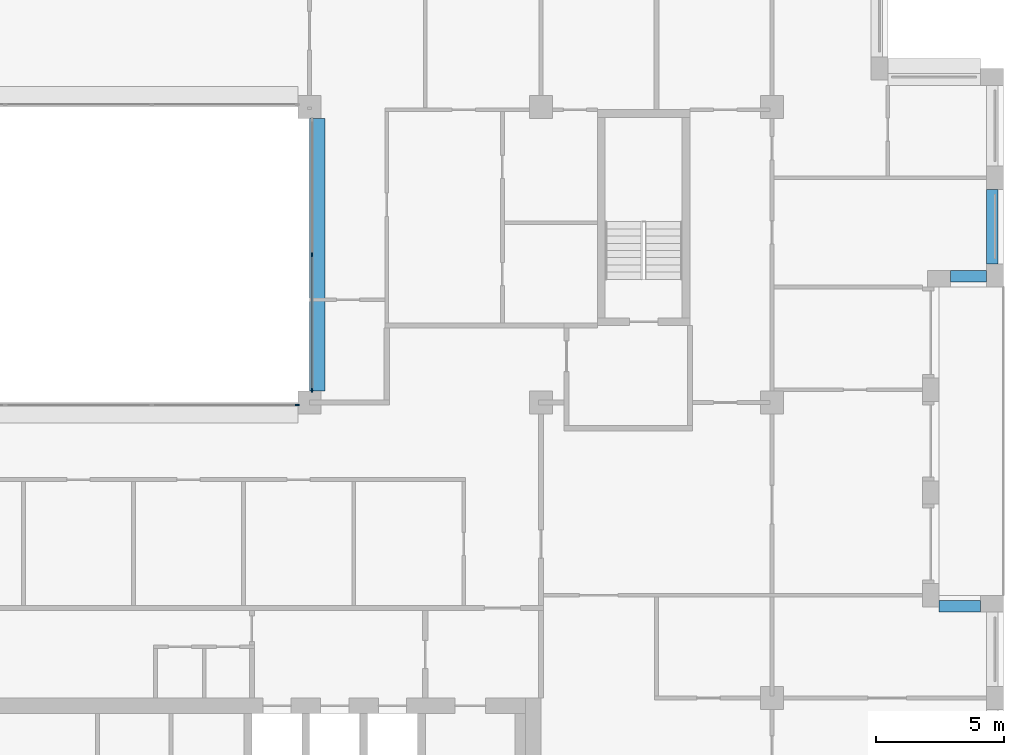
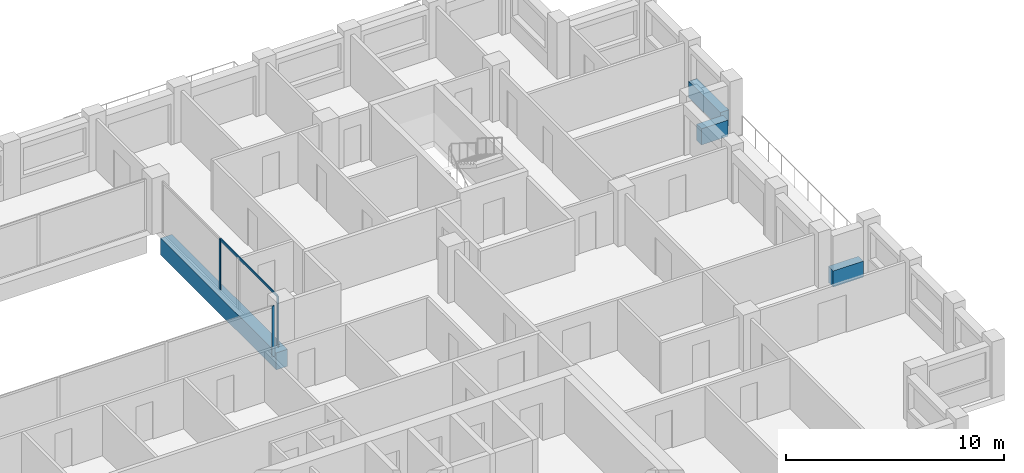
# One storey, part 4 of 15: 4 beams, 4 members, 2 elements without a shape of their own.
"""IFC4 building model written with IfcOpenShell, lengths in metres."""

from ifc_helpers import new_model, si_unit, direction, frame, origin, origin_2d, place, context, subcontext, project, spatial, rectangle, extrude, material, layer, layer_set, material_profile, profile_set, type_object, element, aggregate, save


model = new_model("IFC4")

# Units and contexts
model_context = context("Model", 3, precision=1e-05, world=origin(), true_north=direction((0.0, 1.0)))
body_context = subcontext(model_context, "Body", "Model", "MODEL_VIEW")
ifc_project = project(units=[si_unit("LENGTHUNIT", "METRE"), si_unit("AREAUNIT", "SQUARE_METRE"), si_unit("VOLUMEUNIT", "CUBIC_METRE"), si_unit("PLANEANGLEUNIT", "RADIAN"), si_unit("MASSUNIT", "GRAM", prefix="KILO")], contexts=[model_context])

# Site, building, storey
site_placement = place(None, origin())
site = spatial("IfcSite", under=ifc_project, at=site_placement, CompositionType="ELEMENT")
building_placement = place(site_placement, origin())
building = spatial("IfcBuilding", under=site, at=building_placement, Name="Brigalow Station Residences", CompositionType="ELEMENT")
storey_placement = place(building_placement, frame((0.0, 0.0, 216.89990234375)))
storey = spatial("IfcBuildingStorey", under=building, at=storey_placement, Name="L62", CompositionType="ELEMENT", Elevation=216.89990234375)

# Beam
ifc_material_1 = material(Name="Concrete C65", Category="concrete")
ifc_material_profile_1 = material_profile(ifc_material_1, rectangle(XDim=0.60009765625, YDim=0.949951171875, at=origin_2d()), Name="RC600x950")
ifc_profile_set_1 = profile_set([ifc_material_profile_1], Name="Concrete C65")
beam_type_1 = type_object("IfcBeamType", Name="ATRIUM EDGE GIRDER 600x950 C65", PredefinedType="BEAM", material=ifc_profile_set_1)
beam_1_placement = place(storey_placement, frame((45.300048828125, 24.449951171875, -0.794921875), z_axis=(0.0, 1.0, 0.0), x_axis=(-1.0, 0.0, 0.0)))
element("IfcBeam", 1, at=beam_1_placement, inside=storey, type_object=beam_type_1, Name="ATRIUM EDGE GIRDER 5 L62", PredefinedType="BEAM", context=body_context, shape_type="SweptSolid", body=[
    extrude(rectangle(XDim=0.60009765625, YDim=0.949951171875, at=origin_2d()), origin(), (0.0, 0.0, 1.0), 10.60009765625),
])

# Curtain wall, member
ifc_material_2 = material(Name="Aluminium", Category="aluminium")
ifc_layer = layer(ifc_material_2, 0.14990234375)
ifc_layer_set = layer_set([ifc_layer], Name="ATRIUM FIRE-RATED GLAZING CURTAIN WALL")
curtain_wall_type = type_object("IfcCurtainWallType", Name="ATRIUM FIRE-RATED GLAZING CURTAIN WALL", PredefinedType="NOTDEFINED", material=ifc_layer_set)
curtain_wall_1_placement = place(storey_placement, origin())
curtain_wall_1 = element("IfcCurtainWall", 2, at=curtain_wall_1_placement, inside=storey, type_object=curtain_wall_type, Name="L62/cw/atrium-S", PredefinedType="NOTDEFINED")
ifc_material_3 = material(Name="Aluminium", Category="aluminium")
ifc_material_profile_2 = material_profile(ifc_material_3, rectangle(XDim=0.06005859375, YDim=0.14990234375, at=origin_2d()), Name="ATRIUM FIRE-RATED GLAZING MULLION 60x150")
ifc_profile_set_2 = profile_set([ifc_material_profile_2], Name="Aluminium")
member_type_1 = type_object("IfcMemberType", Name="ATRIUM FIRE-RATED GLAZING MULLION 60x150", PredefinedType="MULLION", material=ifc_profile_set_2)
member_1_placement = place(storey_placement, frame((44.52001953125, 23.89990234375, 0.0), z_axis=(0.0, 0.0, 1.0), x_axis=(0.0, 1.0, 0.0)))
member_1 = element("IfcMember", 3, at=member_1_placement, type_object=member_type_1, Name="L62/cw/atrium-S/M03", PredefinedType="MULLION", context=body_context, shape_type="SweptSolid", body=[
    extrude(rectangle(XDim=0.06005859375, YDim=0.14990234375, at=origin_2d()), origin(), (0.0, 0.0, 1.0), 2.830078125),
])
aggregate(curtain_wall_1, [member_1])

# Curtain wall, members
curtain_wall_2_placement = place(storey_placement, origin())
curtain_wall_2 = element("IfcCurtainWall", 4, at=curtain_wall_2_placement, inside=storey, type_object=curtain_wall_type, Name="L62/cw/atrium-E", PredefinedType="NOTDEFINED")
member_2_placement = place(storey_placement, frame((45.10009765625, 24.47998046875, 0.0), z_axis=(0.0, 0.0, 1.0), x_axis=(-1.0, 0.0, 0.0)))
member_2 = element("IfcMember", 5, at=member_2_placement, type_object=member_type_1, Name="L62/cw/atrium-E/M00", PredefinedType="MULLION", context=body_context, shape_type="SweptSolid", body=[
    extrude(rectangle(XDim=0.06005859375, YDim=0.14990234375, at=origin_2d()), origin(), (0.0, 0.0, 1.0), 2.830078125),
])
member_3_placement = place(storey_placement, frame((45.10009765625, 29.75, 0.0), z_axis=(0.0, 0.0, 1.0), x_axis=(-1.0, 0.0, 0.0)))
member_3 = element("IfcMember", 6, at=member_3_placement, type_object=member_type_1, Name="L62/cw/atrium-E/M01", PredefinedType="MULLION", context=body_context, shape_type="SweptSolid", body=[
    extrude(rectangle(XDim=0.06005859375, YDim=0.14990234375, at=origin_2d()), origin(), (0.0, 0.0, 1.0), 2.830078125),
])
ifc_material_4 = material(Name="Aluminium", Category="aluminium")
ifc_material_profile_3 = material_profile(ifc_material_4, rectangle(XDim=0.06005859375, YDim=0.1201171875, at=origin_2d()), Name="ATRIUM FIRE-RATED GLAZING TRANSOM 60x120")
ifc_profile_set_3 = profile_set([ifc_material_profile_3], Name="Aluminium")
member_type_2 = type_object("IfcMemberType", Name="ATRIUM FIRE-RATED GLAZING TRANSOM 60x120", PredefinedType="USERDEFINED", material=ifc_profile_set_3)
member_4_placement = place(storey_placement, frame((45.10009765625, 24.510009765625, 2.800048828125), z_axis=(0.0, 1.0, 0.0), x_axis=(-1.0, 0.0, 0.0)))
member_4 = element("IfcMember", 7, at=member_4_placement, type_object=member_type_2, Name="L62/cw/atrium-E/T00-00", ObjectType="TRANSOM", PredefinedType="USERDEFINED", context=body_context, shape_type="SweptSolid", body=[
    extrude(rectangle(XDim=0.06005859375, YDim=0.1201171875, at=origin_2d()), origin(), (0.0, 0.0, 1.0), 5.2099609375),
])
aggregate(curtain_wall_2, [member_2, member_3, member_4])

# Beams
ifc_material_5 = material(Name="Concrete C50", Category="concrete")
ifc_material_profile_4 = material_profile(ifc_material_5, rectangle(XDim=0.449951171875, YDim=0.89990234375, at=origin_2d()), Name="RC450x900")
ifc_profile_set_4 = profile_set([ifc_material_profile_4], Name="Concrete C50")
beam_type_2 = type_object("IfcBeamType", Name="SPANDREL BEAM 450x900 C50", PredefinedType="SPANDREL", material=ifc_profile_set_4)
beam_2_placement = place(storey_placement, frame((71.10009765625, 16.074951171875, 0.4501953125), z_axis=(-1.0, 0.0, 0.0), x_axis=(0.0, -1.0, 0.0)))
element("IfcBeam", 8, at=beam_2_placement, inside=storey, type_object=beam_type_2, Name="L62/spandrel/W-L62-11", PredefinedType="SPANDREL", context=body_context, shape_type="SweptSolid", body=[
    extrude(rectangle(XDim=0.449951171875, YDim=0.89990234375, at=origin_2d()), origin(), (0.0, 0.0, 1.0), 1.60009765625),
])
beam_3_placement = place(storey_placement, frame((69.949951171875, 28.925048828125, 0.4501953125), z_axis=(1.0, 0.0, 0.0), x_axis=(0.0, 1.0, 0.0)))
element("IfcBeam", 9, at=beam_3_placement, inside=storey, type_object=beam_type_2, Name="L62/spandrel/W-L62-15", PredefinedType="SPANDREL", context=body_context, shape_type="SweptSolid", body=[
    extrude(rectangle(XDim=0.449951171875, YDim=0.89990234375, at=origin_2d()), origin(), (0.0, 0.0, 1.0), 1.400146484375),
])
beam_4_placement = place(storey_placement, frame((71.574951171875, 29.39990234375, 0.4501953125), z_axis=(0.0, 1.0, 0.0), x_axis=(-1.0, 0.0, 0.0)))
element("IfcBeam", 10, at=beam_4_placement, inside=storey, type_object=beam_type_2, Name="L62/spandrel/W-L62-16", PredefinedType="SPANDREL", context=body_context, shape_type="SweptSolid", body=[
    extrude(rectangle(XDim=0.449951171875, YDim=0.89990234375, at=origin_2d()), origin(), (0.0, 0.0, 1.0), 2.900146484375),
])

save(model, "model.ifc")
